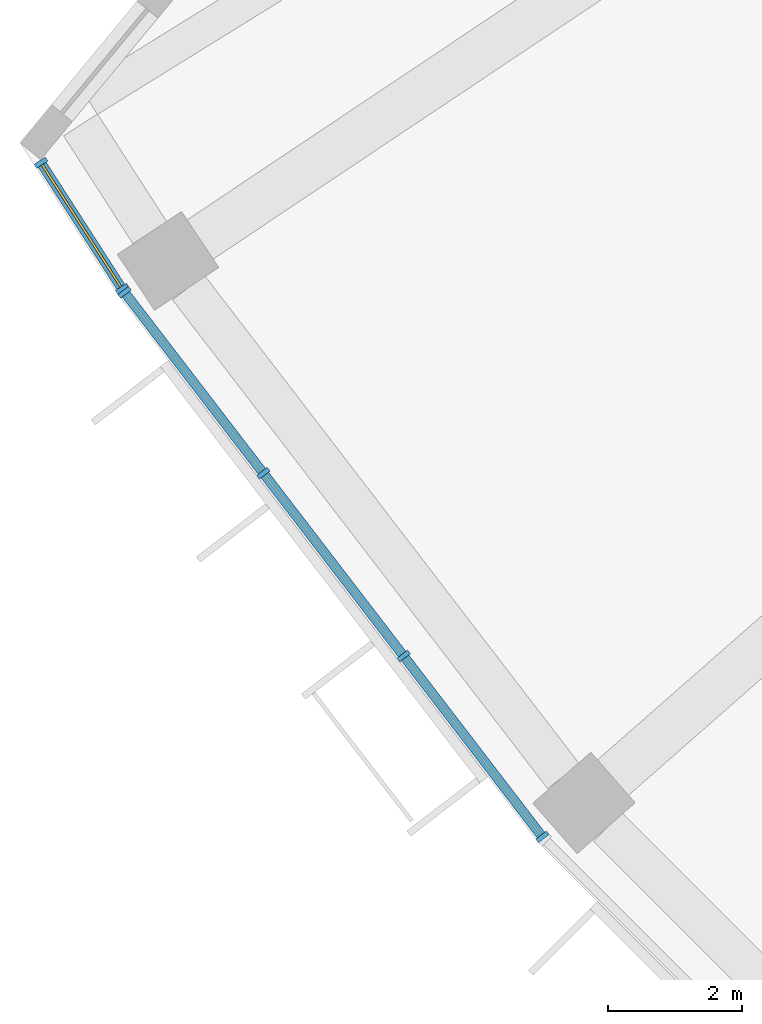
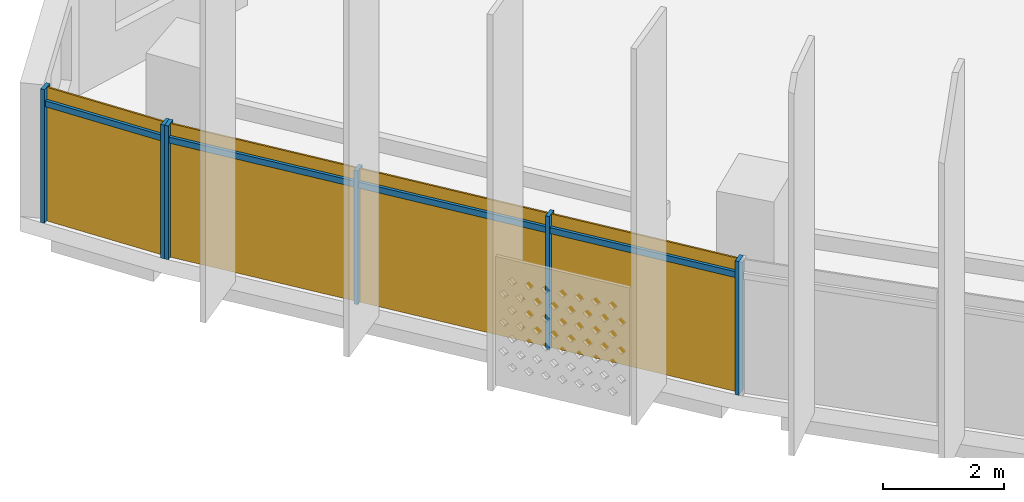
# One storey, part 19 of 28: 10 members, 2 curtain walls.
"""IFC4 building model written with IfcOpenShell, lengths in metres."""

from ifc_helpers import new_model, si_unit, direction, frame, origin, origin_2d, place, context, subcontext, project, spatial, rectangle, extrude, material, material_profile, profile_set, type_object, element, aggregate, save


model = new_model("IFC4")

# Units and contexts
model_context = context("Model", 3, precision=1e-05, world=origin(), true_north=direction((0.0, 1.0)))
body_context = subcontext(model_context, "Body", "Model", "MODEL_VIEW")
ifc_project = project(units=[si_unit("LENGTHUNIT", "METRE"), si_unit("AREAUNIT", "SQUARE_METRE"), si_unit("VOLUMEUNIT", "CUBIC_METRE"), si_unit("PLANEANGLEUNIT", "RADIAN"), si_unit("MASSUNIT", "GRAM", prefix="KILO")], contexts=[model_context])

# Member
ifc_material = material(Name="Aluminium 6063-T6 anodised", Category="aluminium")
ifc_material_profile_1 = material_profile(ifc_material, rectangle(XDim=0.199951171875, YDim=0.070068359375, at=origin_2d()))
ifc_profile_set_1 = profile_set([ifc_material_profile_1], Name="Aluminium 6063-T6 anodised")
member_type_1 = type_object("IfcMemberType", Name="Mullion 70 x 200 aluminium", PredefinedType="MULLION", material=ifc_profile_set_1)
site_placement = place(None, origin())
building_placement = place(site_placement, origin())
storey_placement = place(building_placement, frame((0.0, 0.0, 226.5)))
member_1_placement = place(storey_placement, frame((-66.53857421875, -41.734375, 0.0), z_axis=(0.0, 0.0, 1.0), x_axis=(0.840842221196, 0.5412802962, 0.0)))
member_1 = element("IfcMember", 1, at=member_1_placement, type_object=member_type_1, Name="e-cw1-L54-out00/M00", PredefinedType="MULLION", context=body_context, shape_type="SweptSolid", body=[
    extrude(rectangle(XDim=0.199951171875, YDim=0.070068359375, at=origin_2d()), origin(), (0.0, 0.0, 1.0), 2.699951171875),
])

member_2_placement = place(storey_placement, frame((-65.329833984375, -43.612060546875, 0.0), z_axis=(0.0, 0.0, 1.0), x_axis=(0.840842221196, 0.5412802962, 0.0)))
member_2 = element("IfcMember", 2, at=member_2_placement, type_object=member_type_1, Name="e-cw1-L54-out00/M01", PredefinedType="MULLION", context=body_context, shape_type="SweptSolid", body=[
    extrude(rectangle(XDim=0.199951171875, YDim=0.070068359375, at=origin_2d()), origin(), (0.0, 0.0, 1.0), 2.699951171875),
])

member_3_placement = place(storey_placement, frame((-65.29443359375, -43.66259765625, 0.0), z_axis=(0.0, 0.0, 1.0), x_axis=(0.793353340291, 0.608761429009, 0.0)))
member_3 = element("IfcMember", 3, at=member_3_placement, type_object=member_type_1, Name="e-cw1-L54-out01/M00", PredefinedType="MULLION", context=body_context, shape_type="SweptSolid", body=[
    extrude(rectangle(XDim=0.199951171875, YDim=0.070068359375, at=origin_2d()), origin(), (0.0, 0.0, 1.0), 2.699951171875),
])

member_4_placement = place(storey_placement, frame((-63.22802734375, -46.35546875, 0.0), z_axis=(0.0, 0.0, 1.0), x_axis=(0.793353340291, 0.608761429009, 0.0)))
member_4 = element("IfcMember", 4, at=member_4_placement, type_object=member_type_1, Name="e-cw1-L54-out01/M01", PredefinedType="MULLION", context=body_context, shape_type="SweptSolid", body=[
    extrude(rectangle(XDim=0.199951171875, YDim=0.070068359375, at=origin_2d()), origin(), (0.0, 0.0, 1.0), 2.699951171875),
])

member_5_placement = place(storey_placement, frame((-61.140380859375, -49.075927734375, 0.0), z_axis=(0.0, 0.0, 1.0), x_axis=(0.793353340291, 0.608761429009, 0.0)))
member_5 = element("IfcMember", 5, at=member_5_placement, type_object=member_type_1, Name="e-cw1-L54-out01/M02", PredefinedType="MULLION", context=body_context, shape_type="SweptSolid", body=[
    extrude(rectangle(XDim=0.199951171875, YDim=0.070068359375, at=origin_2d()), origin(), (0.0, 0.0, 1.0), 2.699951171875),
])

member_6_placement = place(storey_placement, frame((-59.07421875, -51.768798828125, 0.0), z_axis=(0.0, 0.0, 1.0), x_axis=(0.793353340291, 0.608761429009, 0.0)))
member_6 = element("IfcMember", 6, at=member_6_placement, type_object=member_type_1, Name="e-cw1-L54-out01/M03", PredefinedType="MULLION", context=body_context, shape_type="SweptSolid", body=[
    extrude(rectangle(XDim=0.199951171875, YDim=0.070068359375, at=origin_2d()), origin(), (0.0, 0.0, 1.0), 2.699951171875),
])

ifc_material_profile_2 = material_profile(ifc_material, rectangle(XDim=0.139892578125, YDim=0.1201171875, at=origin_2d()))
ifc_profile_set_2 = profile_set([ifc_material_profile_2], Name="Aluminium 6063-T6 anodised")
member_type_2 = type_object("IfcMemberType", Name="Transom 120 x 140 aluminium", PredefinedType="USERDEFINED", material=ifc_profile_set_2)
member_7_placement = place(storey_placement, frame((-66.519775390625, -41.763916015625, 2.39990234375), z_axis=(0.541345057628, -0.840800528414, 0.0), x_axis=(0.840800528414, 0.541345057628, 0.0)))
member_7 = element("IfcMember", 7, at=member_7_placement, type_object=member_type_2, Name="e-cw1-L54-out00/T00", ObjectType="TRANSOM", PredefinedType="USERDEFINED", context=body_context, shape_type="SweptSolid", body=[
    extrude(rectangle(XDim=0.139892578125, YDim=0.1201171875, at=origin_2d()), origin(), (0.0, 0.0, 1.0), 2.162841796875),
])

member_8_placement = place(storey_placement, frame((-65.273193359375, -43.690185546875, 2.39990234375), z_axis=(0.608741393132, -0.793368713958, 0.0), x_axis=(0.793368713958, 0.608741393132, 0.0)))
member_8 = element("IfcMember", 8, at=member_8_placement, type_object=member_type_2, Name="e-cw1-L54-out01/T00", ObjectType="TRANSOM", PredefinedType="USERDEFINED", context=body_context, shape_type="SweptSolid", body=[
    extrude(rectangle(XDim=0.139892578125, YDim=0.1201171875, at=origin_2d()), origin(), (0.0, 0.0, 1.0), 3.324462890625),
])

member_9_placement = place(storey_placement, frame((-63.206787109375, -46.383056640625, 2.39990234375), z_axis=(0.608719861247, -0.793385234627, 0.0), x_axis=(0.793385234627, 0.608719861247, 0.0)))
member_9 = element("IfcMember", 9, at=member_9_placement, type_object=member_type_2, Name="e-cw1-L54-out01/T01", ObjectType="TRANSOM", PredefinedType="USERDEFINED", context=body_context, shape_type="SweptSolid", body=[
    extrude(rectangle(XDim=0.139892578125, YDim=0.1201171875, at=origin_2d()), origin(), (0.0, 0.0, 1.0), 3.359375),
])

member_10_placement = place(storey_placement, frame((-61.119140625, -49.103759765625, 2.39990234375), z_axis=(0.608741393132, -0.793368713958, 0.0), x_axis=(0.793368713958, 0.608741393132, 0.0)))
member_10 = element("IfcMember", 10, at=member_10_placement, type_object=member_type_2, Name="e-cw1-L54-out01/T02", ObjectType="TRANSOM", PredefinedType="USERDEFINED", context=body_context, shape_type="SweptSolid", body=[
    extrude(rectangle(XDim=0.139892578125, YDim=0.1201171875, at=origin_2d()), origin(), (0.0, 0.0, 1.0), 3.324462890625),
])

# Site, building, storey
site = spatial("IfcSite", under=ifc_project, at=site_placement, CompositionType="ELEMENT")
building = spatial("IfcBuilding", under=site, at=building_placement, Name="Qamariyya Broadcast Tower", CompositionType="ELEMENT")
storey = spatial("IfcBuildingStorey", under=building, at=storey_placement, Name="L54", CompositionType="ELEMENT", Elevation=226.5)

# Curtain wall
curtain_wall_type = type_object("IfcCurtainWallType", Name="Unitised curtain wall, anodised aluminium", PredefinedType="NOTDEFINED", material=ifc_material)
curtain_wall_1_placement = place(storey_placement, origin())
curtain_wall_1 = element("IfcCurtainWall", 11, at=curtain_wall_1_placement, inside=storey, type_object=curtain_wall_type, Name="e-cw1-L54-out00", PredefinedType="NOTDEFINED", context=body_context, shape_type="SweptSolid", body=[
    extrude(rectangle(XDim=2.1630859375, YDim=0.031982421875, at=origin_2d()), frame((-65.934326171875, -42.673095703125, 0.0), x_axis=(0.541271834746, -0.840847668077, 0.0)), (0.0, 0.0, 1.0), 2.340087890625),
    extrude(rectangle(XDim=2.1630859375, YDim=0.031982421875, at=origin_2d()), frame((-65.934326171875, -42.673095703125, 2.4599609375), x_axis=(0.541271834746, -0.840847668077, 0.0)), (0.0, 0.0, 1.0), 0.239990234375),
])

aggregate(curtain_wall_1, [member_1, member_2, member_7])

curtain_wall_2_placement = place(storey_placement, origin())
curtain_wall_2 = element("IfcCurtainWall", 12, at=curtain_wall_2_placement, inside=storey, type_object=curtain_wall_type, Name="e-cw1-L54-out01", PredefinedType="NOTDEFINED", context=body_context, shape_type="SweptSolid", body=[
    extrude(rectangle(XDim=3.32421875, YDim=0.031982421875, at=origin_2d()), frame((-64.26123046875, -45.009033203125, 0.0), x_axis=(0.608753833159, -0.793359168734, 0.0)), (0.0, 0.0, 1.0), 2.340087890625),
    extrude(rectangle(XDim=3.32421875, YDim=0.031982421875, at=origin_2d()), frame((-64.26123046875, -45.009033203125, 2.4599609375), x_axis=(0.608753833159, -0.793359168734, 0.0)), (0.0, 0.0, 1.0), 0.239990234375),
    extrude(rectangle(XDim=3.359130859375, YDim=0.031982421875, at=origin_2d()), frame((-62.184326171875, -47.7158203125, 0.0), x_axis=(0.608753833159, -0.793359168734, 0.0)), (0.0, 0.0, 1.0), 2.340087890625),
    extrude(rectangle(XDim=3.359130859375, YDim=0.031982421875, at=origin_2d()), frame((-62.184326171875, -47.7158203125, 2.4599609375), x_axis=(0.608753833159, -0.793359168734, 0.0)), (0.0, 0.0, 1.0), 0.239990234375),
    extrude(rectangle(XDim=3.32421875, YDim=0.031982421875, at=origin_2d()), frame((-60.107421875, -50.42236328125, 0.0), x_axis=(0.608753833159, -0.793359168734, 0.0)), (0.0, 0.0, 1.0), 2.340087890625),
    extrude(rectangle(XDim=3.32421875, YDim=0.031982421875, at=origin_2d()), frame((-60.107421875, -50.42236328125, 2.4599609375), x_axis=(0.608753833159, -0.793359168734, 0.0)), (0.0, 0.0, 1.0), 0.239990234375),
])

aggregate(curtain_wall_2, [member_3, member_4, member_5, member_6, member_8, member_9, member_10])

save(model, "model.ifc")
